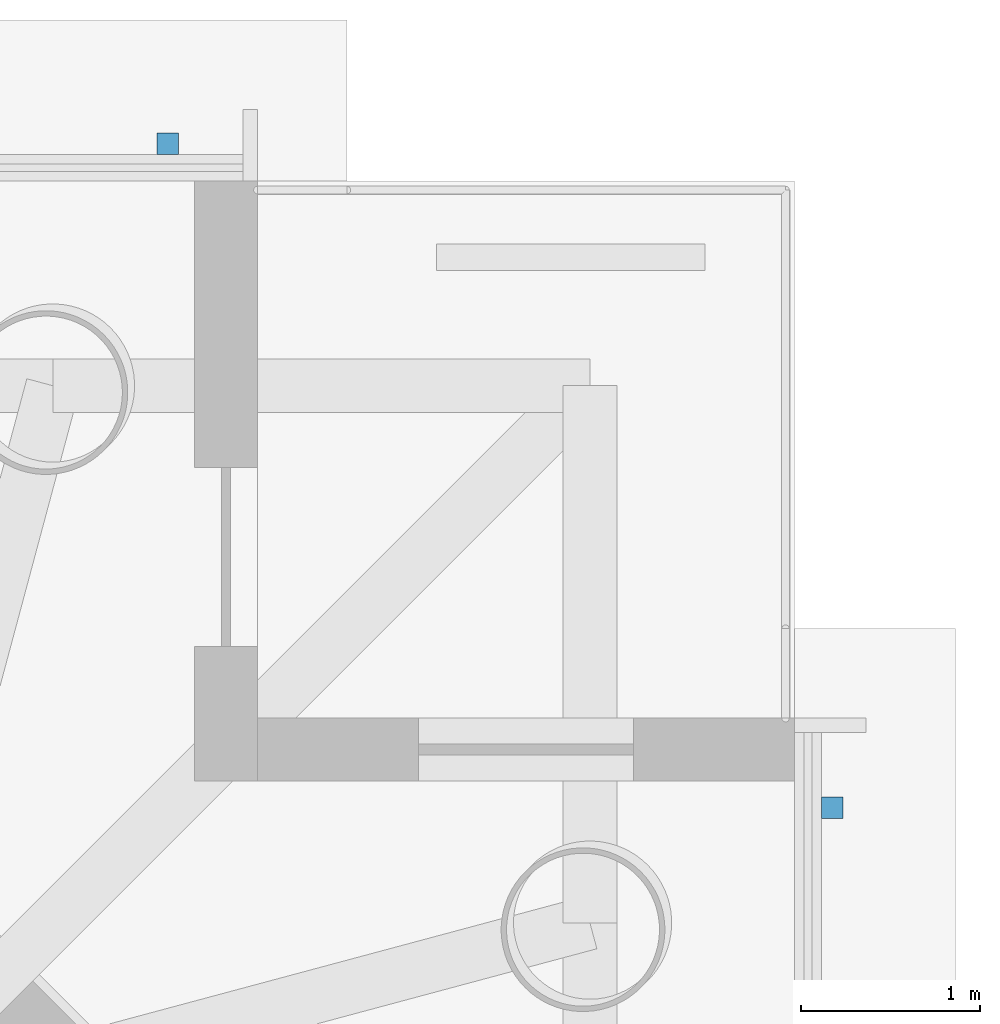
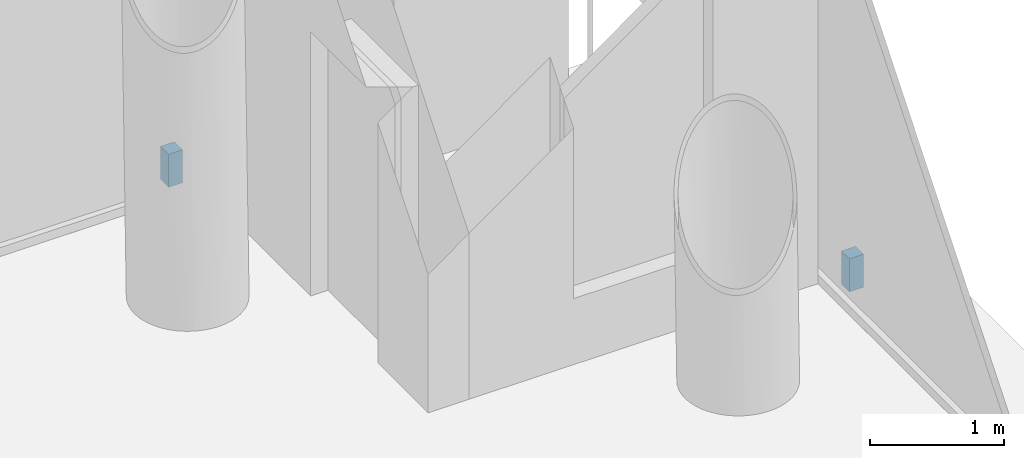
# One storey, part 13 of 16: 2 discrete accessories.
"""IFC4 building model written with IfcOpenShell, lengths in metres."""

from ifc_helpers import new_model, si_unit, direction, frame, origin, origin_2d, place, context, subcontext, project, spatial, rectangle, extrude, material, type_object, element, save


model = new_model("IFC4")

# Units and contexts
model_context = context("Model", 3, precision=1e-05, world=origin(), true_north=direction((0.0, 1.0)))
body_context = subcontext(model_context, "Body", "Model", "MODEL_VIEW")
ifc_project = project(units=[si_unit("LENGTHUNIT", "METRE"), si_unit("AREAUNIT", "SQUARE_METRE"), si_unit("VOLUMEUNIT", "CUBIC_METRE"), si_unit("PLANEANGLEUNIT", "RADIAN"), si_unit("MASSUNIT", "GRAM", prefix="KILO")], contexts=[model_context])

# Site, building, storey
site_placement = place(None, origin())
site = spatial("IfcSite", under=ifc_project, at=site_placement, CompositionType="ELEMENT")
building_placement = place(site_placement, origin())
building = spatial("IfcBuilding", under=site, at=building_placement, Name="Ostroluk Exchange", CompositionType="ELEMENT")
storey_placement = place(building_placement, frame((0.0, 0.0, 135.0)))
storey = spatial("IfcBuildingStorey", under=building, at=storey_placement, Name="L34", CompositionType="ELEMENT", Elevation=135.0)

# Discrete accessories
ifc_material = material(Name="Stainless steel", Category="steel")
discrete_accessory_type = type_object("IfcDiscreteAccessoryType", Name="Fall-arrest anchor PN-EN 795 type C", PredefinedType="USERDEFINED", material=ifc_material)
for number, where, z_axis, x_axis, name in (
    (1, (66.7099609375, 64.0, 0.0), (0.0, 0.0, 1.0), (1.0, 0.0, 0.0), "Fall-arrest anchor L34 east 5"),
    (2, (63.0, 67.7099609375, 0.0), (0.0, 0.0, 1.0), (1.0, 0.0, 0.0), "Fall-arrest anchor L34 north 5"),
):
    element("IfcDiscreteAccessory", number, at=place(storey_placement, frame(where, z_axis=z_axis, x_axis=x_axis)), inside=storey, type_object=discrete_accessory_type, Name=name, ObjectType="FALL ARREST ANCHOR", PredefinedType="USERDEFINED", context=body_context, shape_type="SweptSolid", body=[
        extrude(rectangle(XDim=0.1201171875, YDim=0.1201171875, at=origin_2d()), origin(), (0.0, 0.0, 1.0), 0.300048828125),
    ])

save(model, "model.ifc")
